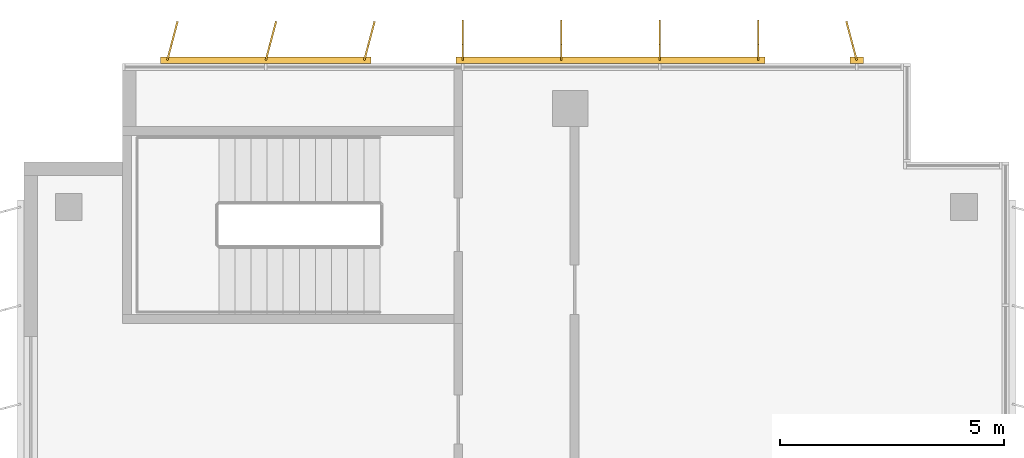
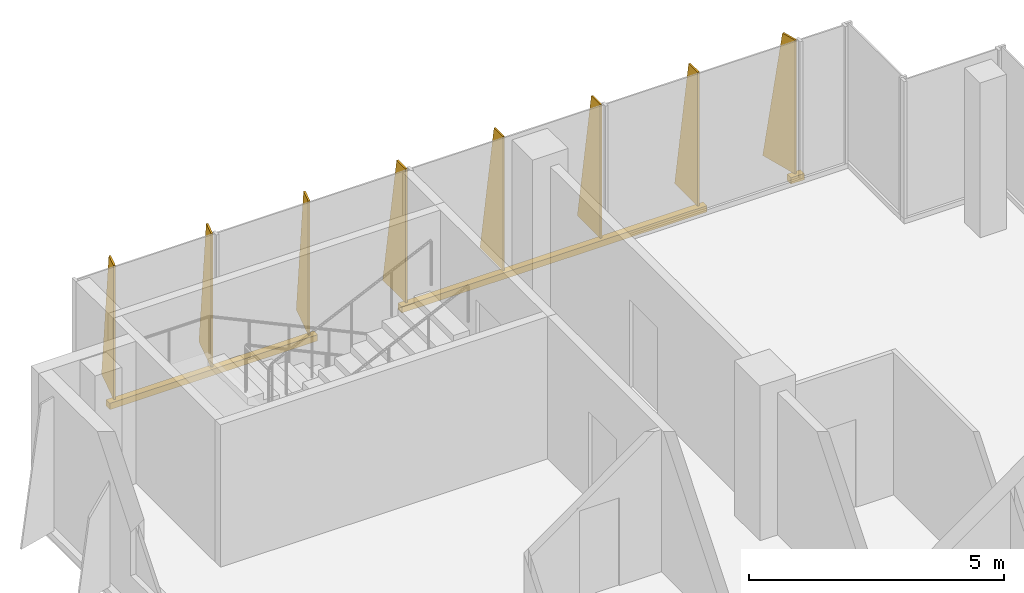
# One storey, part 15 of 15: 3 shading devices.
"""IFC4 building model written with IfcOpenShell, lengths in metres."""

from ifc_helpers import new_model, si_unit, direction, frame, origin, origin_2d, place, context, subcontext, project, spatial, polyline, rectangle, outline, extrude, source, transform, mapped, material, layer, layer_set, type_object, element, save


model = new_model("IFC4")

# Units and contexts
model_context = context("Model", 3, precision=1e-05, world=origin(), true_north=direction((0.0, 1.0)))
body_context = subcontext(model_context, "Body", "Model", "MODEL_VIEW")
ifc_project = project(units=[si_unit("LENGTHUNIT", "METRE"), si_unit("AREAUNIT", "SQUARE_METRE"), si_unit("VOLUMEUNIT", "CUBIC_METRE"), si_unit("PLANEANGLEUNIT", "RADIAN"), si_unit("MASSUNIT", "GRAM", prefix="KILO")], contexts=[model_context])

# Site, building, storey
site_placement = place(None, origin())
site = spatial("IfcSite", under=ifc_project, at=site_placement, CompositionType="ELEMENT")
building_placement = place(site_placement, origin())
building = spatial("IfcBuilding", under=site, at=building_placement, Name="Kemantara Hotel Tower", CompositionType="ELEMENT")
storey_placement = place(building_placement, frame((0.0, 0.0, 275.89990234375)))
storey = spatial("IfcBuildingStorey", under=building, at=storey_placement, Name="L69", CompositionType="ELEMENT", Elevation=275.89990234375)

# Shading devices
ifc_material = material(Name="Perforated aluminium plate 4 mm bronze anodised", Category="aluminium")
ifc_layer_1 = layer(ifc_material, 0.0400390625)
ifc_layer_set_1 = layer_set([ifc_layer_1], Name="Perforated aluminium plate 4 mm bronze anodised")
shading_device_type_1 = type_object("IfcShadingDeviceType", Name="SCREEN FIN CASSETTE, 3 BLADES AT -15.0 DEG, 3200 HIGH", PredefinedType="USERDEFINED", material=ifc_layer_set_1)
shared_shape_1 = source(origin(), body_context, "Body", "SweptSolid", [
    extrude(rectangle(XDim=4.699951171875, YDim=0.14990234375, at=origin_2d()), frame((2.199951171875, -0.074951171875, -0.14990234375), z_axis=(0.0, 0.0, 1.0), x_axis=(1.0, 0.0, 0.0)), (0.0, 0.0, 1.0), 0.14990234375),
    extrude(outline(polyline([(0.0, 0.0), (0.89990234375, 0.0), (0.35009765625, 3.199951171875), (0.0, 3.199951171875), (0.0, 0.0)])), frame((0.019287109375, -0.080078125, 0.0), z_axis=(-0.966437683387, 0.256901156343, 0.0), x_axis=(-0.256901156343, -0.966437683387, 0.0)), (0.0, 0.0, 1.0), 0.039794921875),
    extrude(outline(polyline([(0.0, 0.0), (0.89990234375, 0.0), (0.35009765625, 3.199951171875), (0.0, 3.199951171875), (0.0, 0.0)])), frame((2.21923828125, -0.080078125, 0.0), z_axis=(-0.966437683387, 0.256901156343, 0.0), x_axis=(-0.256901156343, -0.966437683387, 0.0)), (0.0, 0.0, 1.0), 0.039794921875),
    extrude(outline(polyline([(0.0, 0.0), (0.89990234375, 0.0), (0.35009765625, 3.199951171875), (0.0, 3.199951171875), (0.0, 0.0)])), frame((4.41943359375, -0.080078125, 0.0), z_axis=(-0.966837822169, 0.255391122837, 0.0), x_axis=(-0.255391122837, -0.966837822169, 0.0)), (0.0, 0.0, 1.0), 0.0400390625),
])
shading_device_1_placement = place(storey_placement, frame((7.60009765625, 63.60009765625, 0.10009765625), z_axis=(0.0, 0.0, 1.0), x_axis=(-1.0, 0.0, 0.0)))
element("IfcShadingDevice", 1, at=shading_device_1_placement, inside=storey, type_object=shading_device_type_1, Name="SCREEN FIN CASSETTE L69 T4-R02-3", ObjectType="SCREEN FIN", PredefinedType="USERDEFINED", context=body_context, shape_type="MappedRepresentation", body=[
    mapped(shared_shape_1, transform((0.0, 0.0, 0.0))),
])
ifc_layer_2 = layer(ifc_material, 0.0400390625)
ifc_layer_set_2 = layer_set([ifc_layer_2], Name="Perforated aluminium plate 4 mm bronze anodised")
shading_device_type_2 = type_object("IfcShadingDeviceType", Name="SCREEN FIN CASSETTE, 4 BLADES AT +0.0 DEG, 3200 HIGH", PredefinedType="USERDEFINED", material=ifc_layer_set_2)
shared_shape_2 = source(origin(), body_context, "Body", "SweptSolid", [
    extrude(rectangle(XDim=6.89990234375, YDim=0.14990234375, at=origin_2d()), frame((3.300048828125, -0.074951171875, -0.14990234375), z_axis=(0.0, 0.0, 1.0), x_axis=(1.0, 0.0, 0.0)), (0.0, 0.0, 1.0), 0.14990234375),
    extrude(outline(polyline([(0.0, 0.0), (0.89990234375, 0.0), (0.35009765625, 3.199951171875), (0.0, 3.199951171875), (0.0, 0.0)])), frame((0.02001953125, -0.074951171875, 0.0), z_axis=(-1.0, 0.0, 0.0), x_axis=(0.0, -1.0, 0.0)), (0.0, 0.0, 1.0), 0.0400390625),
    extrude(outline(polyline([(0.0, 0.0), (0.89990234375, 0.0), (0.35009765625, 3.199951171875), (0.0, 3.199951171875), (0.0, 0.0)])), frame((2.219970703125, -0.074951171875, 0.0), z_axis=(-1.0, 0.0, 0.0), x_axis=(0.0, -1.0, 0.0)), (0.0, 0.0, 1.0), 0.0400390625),
    extrude(outline(polyline([(0.0, 0.0), (0.89990234375, 0.0), (0.35009765625, 3.199951171875), (0.0, 3.199951171875), (0.0, 0.0)])), frame((4.419921875, -0.074951171875, 0.0), z_axis=(-1.0, 0.0, 0.0), x_axis=(0.0, -1.0, 0.0)), (0.0, 0.0, 1.0), 0.0400390625),
    extrude(outline(polyline([(0.0, 0.0), (0.89990234375, 0.0), (0.35009765625, 3.199951171875), (0.0, 3.199951171875), (0.0, 0.0)])), frame((6.6201171875, -0.074951171875, 0.0), z_axis=(-1.0, 0.0, 0.0), x_axis=(0.0, -1.0, 0.0)), (0.0, 0.0, 1.0), 0.0400390625),
])
shading_device_2_placement = place(storey_placement, frame((16.39990234375, 63.60009765625, 0.10009765625), z_axis=(0.0, 0.0, 1.0), x_axis=(-1.0, 0.0, 0.0)))
element("IfcShadingDevice", 2, at=shading_device_2_placement, inside=storey, type_object=shading_device_type_2, Name="SCREEN FIN CASSETTE L69 T4-R02-2", ObjectType="SCREEN FIN", PredefinedType="USERDEFINED", context=body_context, shape_type="MappedRepresentation", body=[
    mapped(shared_shape_2, transform((0.0, 0.0, 0.0))),
])
ifc_layer_3 = layer(ifc_material, 0.0400390625)
ifc_layer_set_3 = layer_set([ifc_layer_3], Name="Perforated aluminium plate 4 mm bronze anodised")
shading_device_type_3 = type_object("IfcShadingDeviceType", Name="SCREEN FIN CASSETTE, 1 BLADE AT +15.0 DEG, 3200 HIGH", PredefinedType="USERDEFINED", material=ifc_layer_set_3)
shared_shape_3 = source(origin(), body_context, "Body", "SweptSolid", [
    extrude(rectangle(XDim=0.300048828125, YDim=0.14990234375, at=origin_2d()), frame((0.0, -0.074951171875, -0.14990234375), z_axis=(0.0, 0.0, 1.0), x_axis=(1.0, 0.0, 0.0)), (0.0, 0.0, 1.0), 0.14990234375),
    extrude(outline(polyline([(0.0, 0.0), (0.89990234375, 0.0), (0.35009765625, 3.199951171875), (0.0, 3.199951171875), (0.0, 0.0)])), frame((0.019287109375, -0.06982421875, 0.0), z_axis=(-0.966437683387, -0.256901156343, 0.0), x_axis=(0.256901156343, -0.966437683387, 0.0)), (0.0, 0.0, 1.0), 0.039794921875),
])
shading_device_3_placement = place(storey_placement, frame((18.60009765625, 63.60009765625, 0.10009765625), z_axis=(0.0, 0.0, 1.0), x_axis=(-1.0, 0.0, 0.0)))
element("IfcShadingDevice", 3, at=shading_device_3_placement, inside=storey, type_object=shading_device_type_3, Name="SCREEN FIN CASSETTE L69 T4-R02-1", ObjectType="SCREEN FIN", PredefinedType="USERDEFINED", context=body_context, shape_type="MappedRepresentation", body=[
    mapped(shared_shape_3, transform((0.0, 0.0, 0.0))),
])

save(model, "model.ifc")
